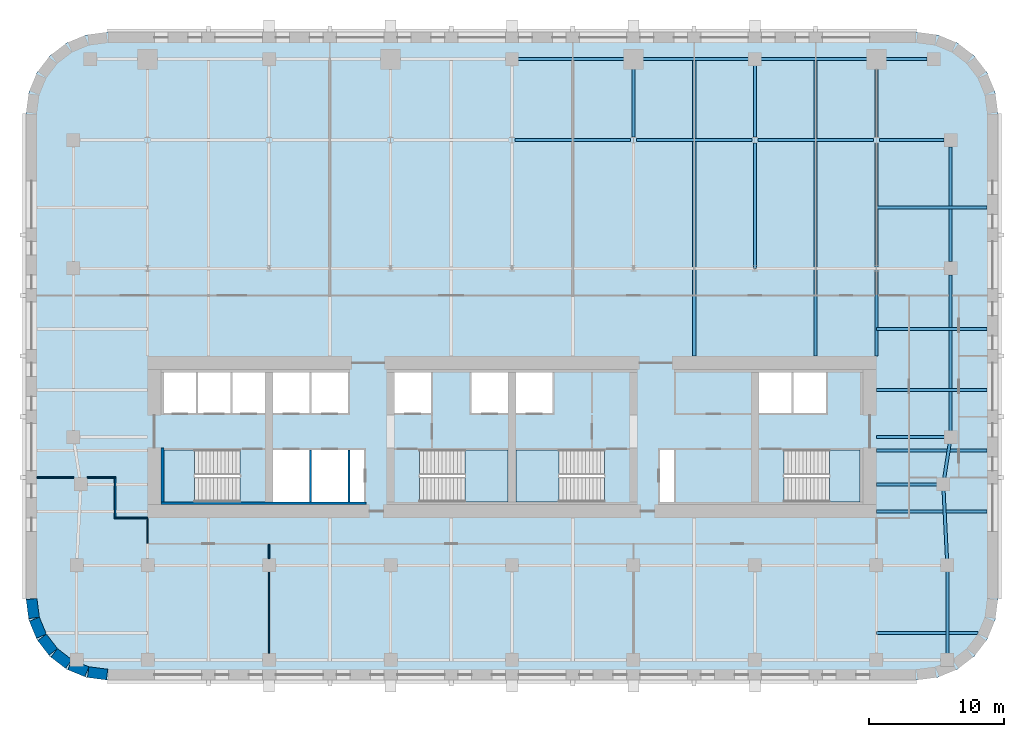
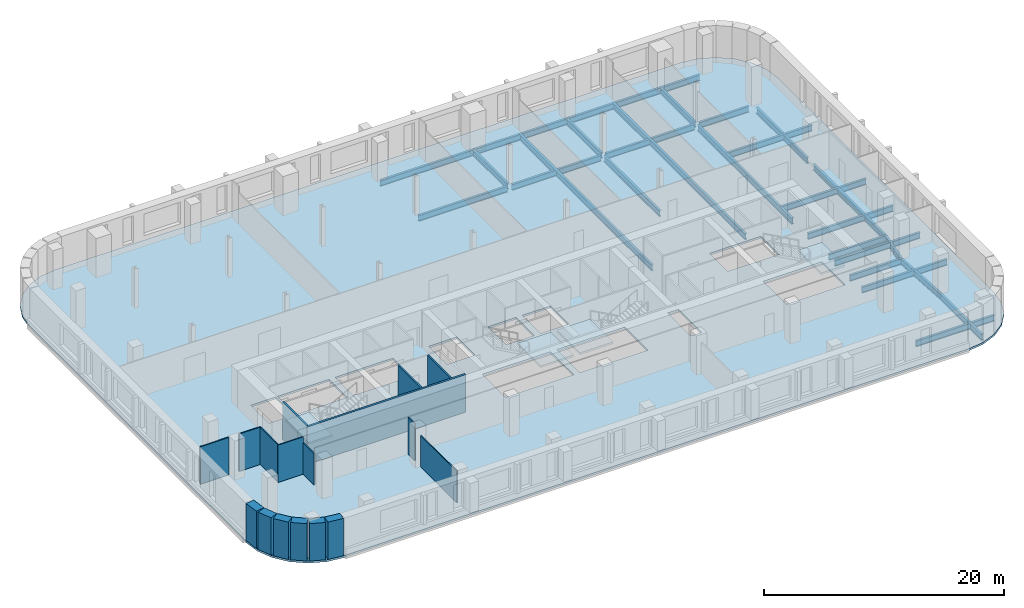
# One storey, part 2 of 9: 26 beams, 17 walls, 5 slabs, 4 elements without a shape of their own.
"""IFC4 building model written with IfcOpenShell, lengths in metres."""

from ifc_helpers import new_model, si_unit, direction, frame, frame_2d, origin, origin_2d, place, context, subcontext, project, spatial, polyline, rectangle, i_section, outline, extrude, material, layer, layer_set, material_profile, profile_set, type_object, element, aggregate, save


model = new_model("IFC4")

# Units and contexts
model_context = context("Model", 3, precision=1e-05, world=origin(), true_north=direction((0.0, 1.0)))
body_context = subcontext(model_context, "Body", "Model", "MODEL_VIEW")
ifc_project = project(units=[si_unit("LENGTHUNIT", "METRE"), si_unit("AREAUNIT", "SQUARE_METRE"), si_unit("VOLUMEUNIT", "CUBIC_METRE"), si_unit("PLANEANGLEUNIT", "RADIAN"), si_unit("MASSUNIT", "GRAM", prefix="KILO")], contexts=[model_context])

# Site, building, storey
site_placement = place(None, origin())
site = spatial("IfcSite", under=ifc_project, at=site_placement, CompositionType="ELEMENT")
building_placement = place(site_placement, origin())
building = spatial("IfcBuilding", under=site, at=building_placement, Name="Zellij Exchange Tower", CompositionType="ELEMENT")
storey_placement = place(building_placement, frame((0.0, 0.0, 148.5)))
storey = spatial("IfcBuildingStorey", under=building, at=storey_placement, Name="L33", CompositionType="ELEMENT", Elevation=148.5)

# Beams
ifc_material_1 = material(Name="Structural steel ASTM A992 Gr 50", Category="steel")
ifc_material_profile_1 = material_profile(ifc_material_1, i_section(OverallWidth=0.227783203125, OverallDepth=0.60205078125, WebThickness=0.010498046875, FlangeThickness=0.014892578125, at=origin_2d()), Name="W24x68")
ifc_profile_set_1 = profile_set([ifc_material_profile_1], Name="Structural steel ASTM A992 Gr 50")
beam_type_1 = type_object("IfcBeamType", Name="STR-BEAM W24x68", PredefinedType="BEAM", material=ifc_profile_set_1)
for number, where, z_axis, x_axis, name in (
    (1, (13.5, -2.0, -0.5009765625), (0.0, 1.0, 0.0), (-1.0, 0.0, 0.0), "B5"),
    (2, (22.5, -2.0, -0.5009765625), (0.0, 1.0, 0.0), (-1.0, 0.0, 0.0), "B5"),
):
    element("IfcBeam", number, at=place(storey_placement, frame(where, z_axis=z_axis, x_axis=x_axis)), inside=storey, type_object=beam_type_1, Name=name, PredefinedType="BEAM", context=body_context, shape_type="SweptSolid", body=[
        extrude(i_section(OverallWidth=0.227783203125, OverallDepth=0.60205078125, WebThickness=0.010498046875, FlangeThickness=0.014892578125, at=origin_2d()), origin(), (0.0, 0.0, 1.0), 22.114501953125),
    ])
beam_1_placement = place(storey_placement, frame((27.0, -22.5, -0.5009765625), z_axis=(1.0, 0.0, 0.0), x_axis=(0.0, 1.0, 0.0)))
element("IfcBeam", 3, at=beam_1_placement, inside=storey, type_object=beam_type_1, Name="B5", PredefinedType="BEAM", context=body_context, shape_type="SweptSolid", body=[
    extrude(i_section(OverallWidth=0.227783203125, OverallDepth=0.60205078125, WebThickness=0.010498046875, FlangeThickness=0.014892578125, at=origin_2d()), origin(), (0.0, 0.0, 1.0), 7.537109375),
])
for number, where, z_axis, x_axis, name in (
    (4, (27.0, -13.5, -0.5009765625), (1.0, 0.0, 0.0), (0.0, 1.0, 0.0), "B5"),
    (5, (27.0, -9.0, -0.5009765625), (1.0, 0.0, 0.0), (0.0, 1.0, 0.0), "B5"),
    (6, (27.0, -4.5, -0.5009765625), (1.0, 0.0, 0.0), (0.0, 1.0, 0.0), "B5"),
    (7, (27.0, 0.0, -0.5009765625), (1.0, 0.0, 0.0), (0.0, 1.0, 0.0), "B5"),
    (8, (27.0, 9.0, -0.5009765625), (1.0, 0.0, 0.0), (0.0, 1.0, 0.0), "B5"),
):
    element("IfcBeam", number, at=place(storey_placement, frame(where, z_axis=z_axis, x_axis=x_axis)), inside=storey, type_object=beam_type_1, Name=name, PredefinedType="BEAM", context=body_context, shape_type="SweptSolid", body=[
        extrude(i_section(OverallWidth=0.227783203125, OverallDepth=0.60205078125, WebThickness=0.010498046875, FlangeThickness=0.014892578125, at=origin_2d()), origin(), (0.0, 0.0, 1.0), 8.199951171875),
    ])
ifc_material_profile_2 = material_profile(ifc_material_1, i_section(OverallWidth=0.22900390625, OverallDepth=0.612060546875, WebThickness=0.011962890625, FlangeThickness=0.01953125, at=origin_2d()), Name="W24x84")
ifc_profile_set_2 = profile_set([ifc_material_profile_2], Name="Structural steel ASTM A992 Gr 50")
beam_type_2 = type_object("IfcBeamType", Name="STR-EDGE GIRDER W24x84", PredefinedType="BEAM", material=ifc_profile_set_2)
beam_2_placement = place(storey_placement, frame((32.25, -24.5, -0.506103515625), z_axis=(0.0, 1.0, 0.0), x_axis=(-1.0, 0.0, 0.0)))
element("IfcBeam", 9, at=beam_2_placement, inside=storey, type_object=beam_type_2, Name="EB6", PredefinedType="BEAM", context=body_context, shape_type="SweptSolid", body=[
    extrude(i_section(OverallWidth=0.22900390625, OverallDepth=0.612060546875, WebThickness=0.011962890625, FlangeThickness=0.01953125, at=origin_2d()), origin(), (0.0, 0.0, 1.0), 7.0),
])
beam_3_placement = place(storey_placement, frame((32.25, -17.5, -0.506103515625), z_axis=(-0.049945724537, 0.998751933465, 0.0), x_axis=(-0.998751933465, -0.049945724537, 0.0)))
element("IfcBeam", 10, at=beam_3_placement, inside=storey, type_object=beam_type_2, Name="EB6", PredefinedType="BEAM", context=body_context, shape_type="SweptSolid", body=[
    extrude(i_section(OverallWidth=0.22900390625, OverallDepth=0.612060546875, WebThickness=0.011962890625, FlangeThickness=0.01953125, at=origin_2d()), origin(), (0.0, 0.0, 1.0), 6.007568359375),
])
beam_4_placement = place(storey_placement, frame((31.949951171875, -11.5, -0.506103515625), z_axis=(0.155251283593, 0.987875011802, 0.0), x_axis=(-0.987875011802, 0.155251283593, 0.0)))
element("IfcBeam", 11, at=beam_4_placement, inside=storey, type_object=beam_type_2, Name="EB6", PredefinedType="BEAM", context=body_context, shape_type="SweptSolid", body=[
    extrude(i_section(OverallWidth=0.22900390625, OverallDepth=0.612060546875, WebThickness=0.011962890625, FlangeThickness=0.01953125, at=origin_2d()), origin(), (0.0, 0.0, 1.0), 3.54296875),
])
beam_5_placement = place(storey_placement, frame((32.5, -8.0, -0.506103515625), z_axis=(0.0, 1.0, 0.0), x_axis=(-1.0, 0.0, 0.0)))
element("IfcBeam", 12, at=beam_5_placement, inside=storey, type_object=beam_type_2, Name="EB6", PredefinedType="BEAM", context=body_context, shape_type="SweptSolid", body=[
    extrude(i_section(OverallWidth=0.22900390625, OverallDepth=0.612060546875, WebThickness=0.011962890625, FlangeThickness=0.01953125, at=origin_2d()), origin(), (0.0, 0.0, 1.0), 12.0),
])
beam_6_placement = place(storey_placement, frame((32.5, 5.0, -0.506103515625), z_axis=(0.0, 1.0, 0.0), x_axis=(-1.0, 0.0, 0.0)))
element("IfcBeam", 13, at=beam_6_placement, inside=storey, type_object=beam_type_2, Name="EB6", PredefinedType="BEAM", context=body_context, shape_type="SweptSolid", body=[
    extrude(i_section(OverallWidth=0.22900390625, OverallDepth=0.612060546875, WebThickness=0.011962890625, FlangeThickness=0.01953125, at=origin_2d()), origin(), (0.0, 0.0, 1.0), 8.5),
])
ifc_material_profile_3 = material_profile(ifc_material_1, i_section(OverallWidth=0.22900390625, OverallDepth=0.612060546875, WebThickness=0.011962890625, FlangeThickness=0.01953125, at=origin_2d()), Name="W24x84")
ifc_profile_set_3 = profile_set([ifc_material_profile_3], Name="Structural steel ASTM A992 Gr 50")
beam_type_3 = type_object("IfcBeamType", Name="STR-GIRDER W24x84", PredefinedType="BEAM", material=ifc_profile_set_3)
beam_7_placement = place(storey_placement, frame((27.0, -11.5, -0.506103515625), z_axis=(1.0, 0.0, 0.0), x_axis=(0.0, 1.0, 0.0)))
element("IfcBeam", 14, at=beam_7_placement, inside=storey, type_object=beam_type_3, Name="G4", PredefinedType="BEAM", context=body_context, shape_type="SweptSolid", body=[
    extrude(i_section(OverallWidth=0.22900390625, OverallDepth=0.612060546875, WebThickness=0.011962890625, FlangeThickness=0.01953125, at=origin_2d()), origin(), (0.0, 0.0, 1.0), 4.949951171875),
])
beam_8_placement = place(storey_placement, frame((27.0, -8.0, -0.506103515625), z_axis=(1.0, 0.0, 0.0), x_axis=(0.0, 1.0, 0.0)))
element("IfcBeam", 15, at=beam_8_placement, inside=storey, type_object=beam_type_3, Name="G4", PredefinedType="BEAM", context=body_context, shape_type="SweptSolid", body=[
    extrude(i_section(OverallWidth=0.22900390625, OverallDepth=0.612060546875, WebThickness=0.011962890625, FlangeThickness=0.01953125, at=origin_2d()), origin(), (0.0, 0.0, 1.0), 5.5),
])
beam_9_placement = place(storey_placement, frame((0.20947265625, 14.0, -0.506103515625), z_axis=(1.0, 0.0, 0.0), x_axis=(0.0, 1.0, 0.0)))
element("IfcBeam", 16, at=beam_9_placement, inside=storey, type_object=beam_type_3, Name="G4", PredefinedType="BEAM", context=body_context, shape_type="SweptSolid", body=[
    extrude(i_section(OverallWidth=0.22900390625, OverallDepth=0.612060546875, WebThickness=0.011962890625, FlangeThickness=0.01953125, at=origin_2d()), origin(), (0.0, 0.0, 1.0), 8.580810546875),
])
for number, where, z_axis, x_axis, name in (
    (17, (9.209716796875, 14.0, -0.506103515625), (1.0, 0.0, 0.0), (0.0, 1.0, 0.0), "G4"),
    (18, (18.209716796875, 14.0, -0.506103515625), (1.0, 0.0, 0.0), (0.0, 1.0, 0.0), "G4"),
):
    element("IfcBeam", number, at=place(storey_placement, frame(where, z_axis=z_axis, x_axis=x_axis)), inside=storey, type_object=beam_type_3, Name=name, PredefinedType="BEAM", context=body_context, shape_type="SweptSolid", body=[
        extrude(i_section(OverallWidth=0.22900390625, OverallDepth=0.612060546875, WebThickness=0.011962890625, FlangeThickness=0.01953125, at=origin_2d()), origin(), (0.0, 0.0, 1.0), 8.58056640625),
    ])
beam_10_placement = place(storey_placement, frame((27.209716796875, 14.0, -0.506103515625), z_axis=(1.0, 0.0, 0.0), x_axis=(0.0, 1.0, 0.0)))
element("IfcBeam", 19, at=beam_10_placement, inside=storey, type_object=beam_type_3, Name="G4", PredefinedType="BEAM", context=body_context, shape_type="SweptSolid", body=[
    extrude(i_section(OverallWidth=0.22900390625, OverallDepth=0.612060546875, WebThickness=0.011962890625, FlangeThickness=0.01953125, at=origin_2d()), origin(), (0.0, 0.0, 1.0), 4.790283203125),
])
beam_11_placement = place(storey_placement, frame((0.0, 20.0, -0.506103515625), z_axis=(1.0, 0.0, 0.0), x_axis=(0.0, 1.0, 0.0)))
element("IfcBeam", 20, at=beam_11_placement, inside=storey, type_object=beam_type_3, Name="G4", PredefinedType="BEAM", context=body_context, shape_type="SweptSolid", body=[
    extrude(i_section(OverallWidth=0.22900390625, OverallDepth=0.612060546875, WebThickness=0.011962890625, FlangeThickness=0.01953125, at=origin_2d()), origin(), (0.0, 0.0, 1.0), 18.0),
])
beam_12_placement = place(storey_placement, frame((18.0, 20.0, -0.506103515625), z_axis=(1.0, 0.0, 0.0), x_axis=(0.0, 1.0, 0.0)))
element("IfcBeam", 21, at=beam_12_placement, inside=storey, type_object=beam_type_3, Name="G4", PredefinedType="BEAM", context=body_context, shape_type="SweptSolid", body=[
    extrude(i_section(OverallWidth=0.22900390625, OverallDepth=0.612060546875, WebThickness=0.011962890625, FlangeThickness=0.01953125, at=origin_2d()), origin(), (0.0, 0.0, 1.0), 12.75),
])
beam_13_placement = place(storey_placement, frame((9.0, 14.227294921875, -0.506103515625), z_axis=(0.0, 1.0, 0.0), x_axis=(-1.0, 0.0, 0.0)))
element("IfcBeam", 22, at=beam_13_placement, inside=storey, type_object=beam_type_3, Name="G4", PredefinedType="BEAM", context=body_context, shape_type="SweptSolid", body=[
    extrude(i_section(OverallWidth=0.22900390625, OverallDepth=0.612060546875, WebThickness=0.011962890625, FlangeThickness=0.01953125, at=origin_2d()), origin(), (0.0, 0.0, 1.0), 5.772705078125),
])
beam_14_placement = place(storey_placement, frame((18.0, 4.5, -0.506103515625), z_axis=(0.0, 1.0, 0.0), x_axis=(-1.0, 0.0, 0.0)))
element("IfcBeam", 23, at=beam_14_placement, inside=storey, type_object=beam_type_3, Name="G4", PredefinedType="BEAM", context=body_context, shape_type="SweptSolid", body=[
    extrude(i_section(OverallWidth=0.22900390625, OverallDepth=0.612060546875, WebThickness=0.011962890625, FlangeThickness=0.01953125, at=origin_2d()), origin(), (0.0, 0.0, 1.0), 9.272705078125),
])
beam_15_placement = place(storey_placement, frame((18.0, 14.227294921875, -0.506103515625), z_axis=(0.0, 1.0, 0.0), x_axis=(-1.0, 0.0, 0.0)))
element("IfcBeam", 24, at=beam_15_placement, inside=storey, type_object=beam_type_3, Name="G4", PredefinedType="BEAM", context=body_context, shape_type="SweptSolid", body=[
    extrude(i_section(OverallWidth=0.22900390625, OverallDepth=0.612060546875, WebThickness=0.011962890625, FlangeThickness=0.01953125, at=origin_2d()), origin(), (0.0, 0.0, 1.0), 5.772705078125),
])
beam_16_placement = place(storey_placement, frame((27.0, -2.0, -0.506103515625), z_axis=(0.0, 1.0, 0.0), x_axis=(-1.0, 0.0, 0.0)))
element("IfcBeam", 25, at=beam_16_placement, inside=storey, type_object=beam_type_3, Name="G4", PredefinedType="BEAM", context=body_context, shape_type="SweptSolid", body=[
    extrude(i_section(OverallWidth=0.22900390625, OverallDepth=0.612060546875, WebThickness=0.011962890625, FlangeThickness=0.01953125, at=origin_2d()), origin(), (0.0, 0.0, 1.0), 15.772705078125),
])
beam_17_placement = place(storey_placement, frame((27.0, 14.227294921875, -0.506103515625), z_axis=(0.0, 1.0, 0.0), x_axis=(-1.0, 0.0, 0.0)))
element("IfcBeam", 26, at=beam_17_placement, inside=storey, type_object=beam_type_3, Name="G4", PredefinedType="BEAM", context=body_context, shape_type="SweptSolid", body=[
    extrude(i_section(OverallWidth=0.22900390625, OverallDepth=0.612060546875, WebThickness=0.011962890625, FlangeThickness=0.01953125, at=origin_2d()), origin(), (0.0, 0.0, 1.0), 5.772705078125),
])

# Stair, slab
ifc_material_2 = material(Name="Concrete C40/50", Category="concrete")
stair_type = type_object("IfcStairType", Name="CORE-ST exit stair 1850 wide", PredefinedType="HALF_TURN_STAIR", material=ifc_material_2)
stair_1_placement = place(storey_placement, origin())
stair_1 = element("IfcStair", 27, at=stair_1_placement, inside=storey, type_object=stair_type, Name="L33 exit stair ST1", PredefinedType="HALF_TURN_STAIR")
ifc_layer_1 = layer(ifc_material_2, 0.199951171875)
ifc_layer_set_1 = layer_set([ifc_layer_1], Name="Concrete C40/50")
slab_type_1 = type_object("IfcSlabType", Name="CORE-SL stair landing 200", PredefinedType="LANDING", material=ifc_layer_set_1)
slab_1_placement = place(storey_placement, frame((0.0, 0.0, 1.800048828125)))
slab_1 = element("IfcSlab", 28, at=slab_1_placement, type_object=slab_type_1, Name="ST1 landing 1", PredefinedType="LANDING", context=body_context, shape_type="SweptSolid", body=[
    extrude(outline(polyline([(-23.510009765625, -8.949951171875), (-25.800048828125, -8.949951171875), (-25.800048828125, -12.800048828125), (-23.510009765625, -12.800048828125), (-23.510009765625, -8.949951171875)])), origin(), (0.0, 0.0, 1.0), 0.199951171875),
])
aggregate(stair_1, [slab_1])

stair_2_placement = place(storey_placement, origin())
stair_2 = element("IfcStair", 29, at=stair_2_placement, inside=storey, type_object=stair_type, Name="L33 exit stair ST2", PredefinedType="HALF_TURN_STAIR")
slab_2_placement = place(storey_placement, frame((0.0, 0.0, 1.800048828125)))
slab_2 = element("IfcSlab", 30, at=slab_2_placement, type_object=slab_type_1, Name="ST2 landing 1", PredefinedType="LANDING", context=body_context, shape_type="SweptSolid", body=[
    extrude(outline(polyline([(-3.489990234375, -12.800048828125), (-0.300048828125, -12.800048828125), (-0.300048828125, -8.949951171875), (-3.489990234375, -8.949951171875), (-3.489990234375, -12.800048828125)])), origin(), (0.0, 0.0, 1.0), 0.199951171875),
])
aggregate(stair_2, [slab_2])

stair_3_placement = place(storey_placement, origin())
stair_3 = element("IfcStair", 31, at=stair_3_placement, inside=storey, type_object=stair_type, Name="L33 exit stair ST3", PredefinedType="HALF_TURN_STAIR")
slab_3_placement = place(storey_placement, frame((0.0, 0.0, 1.800048828125)))
slab_3 = element("IfcSlab", 32, at=slab_3_placement, type_object=slab_type_1, Name="ST3 landing 1", PredefinedType="LANDING", context=body_context, shape_type="SweptSolid", body=[
    extrude(outline(polyline([(3.489990234375, -8.949951171875), (0.300048828125, -8.949951171875), (0.300048828125, -12.800048828125), (3.489990234375, -12.800048828125), (3.489990234375, -8.949951171875)])), origin(), (0.0, 0.0, 1.0), 0.199951171875),
])
aggregate(stair_3, [slab_3])

stair_4_placement = place(storey_placement, origin())
stair_4 = element("IfcStair", 33, at=stair_4_placement, inside=storey, type_object=stair_type, Name="L33 exit stair ST4", PredefinedType="HALF_TURN_STAIR")
slab_4_placement = place(storey_placement, frame((0.0, 0.0, 1.800048828125)))
slab_4 = element("IfcSlab", 34, at=slab_4_placement, type_object=slab_type_1, Name="ST4 landing 1", PredefinedType="LANDING", context=body_context, shape_type="SweptSolid", body=[
    extrude(outline(polyline([(23.510009765625, -12.800048828125), (25.800048828125, -12.800048828125), (25.800048828125, -8.949951171875), (23.510009765625, -8.949951171875), (23.510009765625, -12.800048828125)])), origin(), (0.0, 0.0, 1.0), 0.199951171875),
])
aggregate(stair_4, [slab_4])

# Slab
ifc_layer_2 = layer(ifc_material_2, 0.199951171875)
ifc_layer_set_2 = layer_set([ifc_layer_2], Name="Concrete C40/50")
slab_type_2 = type_object("IfcSlabType", Name="STR-FLOOR SLAB 200 C40/50", PredefinedType="FLOOR", material=ifc_layer_set_2)
slab_5_placement = place(storey_placement, frame((0.0, 0.0, -0.2001953125)))
element("IfcSlab", 35, at=slab_5_placement, inside=storey, type_object=slab_type_2, Name="Floor L33", PredefinedType="FLOOR", context=body_context, shape_type="SweptSolid", body=[
    extrude(outline(polyline([(-30.0, -26.0), (-31.552978515625, -25.795654296875), (-33.0, -25.1962890625), (-34.24267578125, -24.24267578125), (-35.1962890625, -23.0), (-35.795654296875, -21.552978515625), (-36.0, -20.0), (-36.0, 16.0), (-35.795654296875, 17.552978515625), (-35.1962890625, 19.0), (-34.24267578125, 20.24267578125), (-33.0, 21.1962890625), (-31.552978515625, 21.795654296875), (-30.0, 22.0), (30.0, 22.0), (31.552978515625, 21.795654296875), (33.0, 21.1962890625), (34.24267578125, 20.24267578125), (35.1962890625, 19.0), (35.795654296875, 17.552978515625), (36.0, 16.0), (36.0, -20.0), (35.795654296875, -21.552978515625), (35.1962890625, -23.0), (34.24267578125, -24.24267578125), (33.0, -25.1962890625), (31.552978515625, -25.795654296875), (30.0, -26.0), (-30.0, -26.0)]), holes=[polyline([(-25.800048828125, -8.949951171875), (-25.800048828125, -12.800048828125), (-20.153076171875, -12.800048828125), (-20.153076171875, -8.949951171875), (-25.800048828125, -8.949951171875)]), polyline([(-12.14990234375, -8.949951171875), (-17.699951171875, -8.949951171875), (-17.699951171875, -12.800048828125), (-12.14990234375, -12.800048828125), (-12.14990234375, -8.949951171875)]), polyline([(-10.949951171875, -8.949951171875), (-12.0, -8.949951171875), (-12.0, -12.800048828125), (-10.949951171875, -12.800048828125), (-10.949951171875, -8.949951171875)]), polyline([(-23.39990234375, -3.199951171875), (-25.800048828125, -3.199951171875), (-25.800048828125, -6.22509765625), (-23.39990234375, -6.22509765625), (-23.39990234375, -3.199951171875)]), polyline([(-18.300048828125, -3.199951171875), (-23.25, -3.199951171875), (-23.25, -6.22509765625), (-18.300048828125, -6.22509765625), (-18.300048828125, -3.199951171875)]), polyline([(-12.14990234375, -3.199951171875), (-17.699951171875, -3.199951171875), (-17.699951171875, -6.22509765625), (-12.14990234375, -6.22509765625), (-12.14990234375, -3.199951171875)]), polyline([(-6.0, -3.199951171875), (-8.699951171875, -3.199951171875), (-8.699951171875, -6.22509765625), (-6.0, -6.22509765625), (-6.0, -3.199951171875)]), polyline([(-6.846923828125, -8.949951171875), (-6.846923828125, -12.800048828125), (-0.300048828125, -12.800048828125), (-0.300048828125, -8.949951171875), (-6.846923828125, -8.949951171875)]), polyline([(6.846923828125, -8.949951171875), (0.300048828125, -8.949951171875), (0.300048828125, -12.800048828125), (6.846923828125, -12.800048828125), (6.846923828125, -8.949951171875)]), polyline([(12.0, -8.949951171875), (10.949951171875, -8.949951171875), (10.949951171875, -12.800048828125), (12.0, -12.800048828125), (12.0, -8.949951171875)]), polyline([(25.800048828125, -8.949951171875), (20.153076171875, -8.949951171875), (20.153076171875, -12.800048828125), (25.800048828125, -12.800048828125), (25.800048828125, -8.949951171875)]), polyline([(-0.300048828125, -3.199951171875), (-3.0, -3.199951171875), (-3.0, -6.22509765625), (-0.300048828125, -6.22509765625), (-0.300048828125, -3.199951171875)]), polyline([(3.0, -3.199951171875), (0.300048828125, -3.199951171875), (0.300048828125, -6.22509765625), (3.0, -6.22509765625), (3.0, -3.199951171875)]), polyline([(23.25, -3.199951171875), (18.300048828125, -3.199951171875), (18.300048828125, -6.22509765625), (23.25, -6.22509765625), (23.25, -3.199951171875)])]), origin(), (0.0, 0.0, 1.0), 0.2001953125),
])

# Walls
ifc_material_3 = material(Name="Concrete C30/37", Category="concrete")
ifc_layer_3 = layer(ifc_material_3, 0.199951171875)
ifc_layer_set_3 = layer_set([ifc_layer_3], Name="Concrete C30/37")
wall_type_1 = type_object("IfcWallType", Name="CORE-LW 200 C30/37", PredefinedType="SHEAR", material=ifc_layer_set_3)
wall_1_placement = place(storey_placement, frame((-26.0, -12.89990234375, 0.0), z_axis=(0.0, 0.0, 1.0), x_axis=(1.0, 0.0, 0.0)))
element("IfcWall", 36, at=wall_1_placement, inside=storey, type_object=wall_type_1, Name="Core wall lining rear.0 L33", PredefinedType="SHEAR", context=body_context, shape_type="SweptSolid", body=[
    extrude(rectangle(XDim=15.199951171875, YDim=0.199951171875, at=frame_2d((7.60009765625, 0.0))), origin(), (0.0, 0.0, 1.0), 3.800048828125),
])
wall_2_placement = place(storey_placement, frame((-25.89990234375, -12.800048828125, 0.0), z_axis=(0.0, 0.0, 1.0), x_axis=(0.0, 1.0, 0.0)))
element("IfcWall", 37, at=wall_2_placement, inside=storey, type_object=wall_type_1, Name="Core wall lining end w.0 L33", PredefinedType="SHEAR", context=body_context, shape_type="SweptSolid", body=[
    extrude(rectangle(XDim=4.0, YDim=0.199951171875, at=frame_2d((2.0, 0.0))), origin(), (0.0, 0.0, 1.0), 3.800048828125),
])
ifc_material_4 = material(Name="Gypsum shaft wall system")
ifc_layer_4 = layer(ifc_material_4, 0.14990234375)
ifc_layer_set_4 = layer_set([ifc_layer_4], Name="Gypsum shaft wall system")
wall_type_2 = type_object("IfcWallType", Name="CORE-PW 150 Lift shaft wall", PredefinedType="PARTITIONING", material=ifc_layer_set_4)
for number, where, z_axis, x_axis, name in (
    (38, (-12.074951171875, -12.800048828125, 0.0), (0.0, 0.0, 1.0), (0.0, 1.0, 0.0), "Lift shaft wall L33"),
    (39, (-14.925048828125, -12.800048828125, 0.0), (0.0, 0.0, 1.0), (0.0, 1.0, 0.0), "Lift shaft wall L33"),
):
    element("IfcWall", number, at=place(storey_placement, frame(where, z_axis=z_axis, x_axis=x_axis)), inside=storey, type_object=wall_type_2, Name=name, PredefinedType="PARTITIONING", context=body_context, shape_type="SweptSolid", body=[
        extrude(rectangle(XDim=3.85009765625, YDim=0.14990234375, at=frame_2d((1.925048828125, 0.0))), origin(), (0.0, 0.0, 1.0), 3.800048828125),
    ])
ifc_material_5 = material(Name="Precast concrete C40/50", Category="concrete")
ifc_layer_5 = layer(ifc_material_5, 0.800048828125)
ifc_layer_set_5 = layer_set([ifc_layer_5], Name="Precast concrete C40/50")
wall_type_3 = type_object("IfcWallType", Name="ENV-EW1 Precast stone-piered wall 800", PredefinedType="SOLIDWALL", material=ifc_layer_set_5)
wall_3_placement = place(storey_placement, frame((-35.5966796875, -19.999755859375, 0.0), z_axis=(0.0, 0.0, 1.0), x_axis=(0.130517283865, -0.99144603414, 0.0)))
element("IfcWall", 40, at=wall_3_placement, inside=storey, type_object=wall_type_3, Name="fac.L33.22", PredefinedType="SOLIDWALL", context=body_context, shape_type="SweptSolid", body=[
    extrude(rectangle(XDim=1.408447265625, YDim=0.800048828125, at=frame_2d((0.7041015625, 0.0))), origin(), (0.0, 0.0, 1.0), 3.800048828125),
])
wall_4_placement = place(storey_placement, frame((-35.3857421875, -21.497314453125, 0.0), z_axis=(0.0, 0.0, 1.0), x_axis=(0.38276009378, -0.923847774587, 0.0)))
element("IfcWall", 41, at=wall_4_placement, inside=storey, type_object=wall_type_3, Name="fac.L33.23", PredefinedType="SOLIDWALL", context=body_context, shape_type="SweptSolid", body=[
    extrude(rectangle(XDim=1.35546875, YDim=0.800048828125, at=frame_2d((0.677734375, 0.0))), origin(), (0.0, 0.0, 1.0), 3.800048828125),
])
for number, where, z_axis, x_axis, name in (
    (42, (-34.814697265625, -22.840087890625, 0.0), (0.0, 0.0, 1.0), (0.608866226366, -0.793272915452, 0.0), "fac.L33.24"),
    (43, (-33.91552734375, -23.9892578125, 0.0), (0.0, 0.0, 1.0), (0.793272915452, -0.608866226366, 0.0), "fac.L33.25"),
):
    element("IfcWall", number, at=place(storey_placement, frame(where, z_axis=z_axis, x_axis=x_axis)), inside=storey, type_object=wall_type_3, Name=name, PredefinedType="SOLIDWALL", context=body_context, shape_type="SweptSolid", body=[
        extrude(rectangle(XDim=1.355712890625, YDim=0.800048828125, at=frame_2d((0.677734375, 0.0))), origin(), (0.0, 0.0, 1.0), 3.800048828125),
    ])
wall_5_placement = place(storey_placement, frame((-32.74951171875, -24.866943359375, 0.0), z_axis=(0.0, 0.0, 1.0), x_axis=(0.923847774587, -0.38276009378, 0.0)))
element("IfcWall", 44, at=wall_5_placement, inside=storey, type_object=wall_type_3, Name="fac.L33.26", PredefinedType="SOLIDWALL", context=body_context, shape_type="SweptSolid", body=[
    extrude(rectangle(XDim=1.35546875, YDim=0.800048828125, at=frame_2d((0.677734375, 0.0))), origin(), (0.0, 0.0, 1.0), 3.800048828125),
])
wall_6_placement = place(storey_placement, frame((-31.396240234375, -25.412841796875, 0.0), z_axis=(0.0, 0.0, 1.0), x_axis=(0.99144603414, -0.130517283865, 0.0)))
element("IfcWall", 45, at=wall_6_placement, inside=storey, type_object=wall_type_3, Name="fac.L33.27", PredefinedType="SOLIDWALL", context=body_context, shape_type="SweptSolid", body=[
    extrude(rectangle(XDim=1.408447265625, YDim=0.800048828125, at=frame_2d((0.7041015625, 0.0))), origin(), (0.0, 0.0, 1.0), 3.800048828125),
])
ifc_material_6 = material(Name="Gypsum board partition on steel studs", Category="steel")
ifc_layer_6 = layer(ifc_material_6, 0.10009765625)
ifc_layer_set_6 = layer_set([ifc_layer_6], Name="Gypsum board partition on steel studs")
wall_type_4 = type_object("IfcWallType", Name="FIT-PARTITION-100", PredefinedType="PARTITIONING", material=ifc_layer_set_6)
wall_7_placement = place(storey_placement, frame((-18.0, -24.0, 0.0), z_axis=(0.0, 0.0, 1.0), x_axis=(0.0, 1.0, 0.0)))
element("IfcWall", 46, at=wall_7_placement, inside=storey, type_object=wall_type_4, Name="FIT-PARTITION-100 001", PredefinedType="PARTITIONING", context=body_context, shape_type="SweptSolid", body=[
    extrude(rectangle(XDim=6.0, YDim=0.10009765625, at=frame_2d((3.0, 0.0))), origin(), (0.0, 0.0, 1.0), 3.18798828125),
])
wall_8_placement = place(storey_placement, frame((-18.0, -17.0, 0.0), z_axis=(0.0, 0.0, 1.0), x_axis=(0.0, 1.0, 0.0)))
element("IfcWall", 47, at=wall_8_placement, inside=storey, type_object=wall_type_4, Name="FIT-PARTITION-100 002", PredefinedType="PARTITIONING", context=body_context, shape_type="SweptSolid", body=[
    extrude(rectangle(XDim=1.050048828125, YDim=0.10009765625, at=frame_2d((0.52490234375, 0.0))), origin(), (0.0, 0.0, 1.0), 3.800048828125),
])
wall_9_placement = place(storey_placement, frame((-27.0, -15.85009765625, 0.0), z_axis=(0.0, 0.0, 1.0), x_axis=(0.0, 1.0, 0.0)))
element("IfcWall", 48, at=wall_9_placement, inside=storey, type_object=wall_type_4, Name="FIT-PARTITION-100 006", PredefinedType="PARTITIONING", context=body_context, shape_type="SweptSolid", body=[
    extrude(rectangle(XDim=1.800048828125, YDim=0.10009765625, at=frame_2d((0.89990234375, 0.0))), origin(), (0.0, 0.0, 1.0), 3.18798828125),
])
wall_10_placement = place(storey_placement, frame((-29.449951171875, -14.0, 0.0), z_axis=(0.0, 0.0, 1.0), x_axis=(1.0, 0.0, 0.0)))
element("IfcWall", 49, at=wall_10_placement, inside=storey, type_object=wall_type_4, Name="FIT-PARTITION-100 008", PredefinedType="PARTITIONING", context=body_context, shape_type="SweptSolid", body=[
    extrude(rectangle(XDim=2.449951171875, YDim=0.10009765625, at=frame_2d((1.22509765625, 0.0))), origin(), (0.0, 0.0, 1.0), 3.800048828125),
])
wall_11_placement = place(storey_placement, frame((-29.39990234375, -13.949951171875, 0.0), z_axis=(0.0, 0.0, 1.0), x_axis=(0.0, 1.0, 0.0)))
element("IfcWall", 50, at=wall_11_placement, inside=storey, type_object=wall_type_4, Name="FIT-PARTITION-100 009", PredefinedType="PARTITIONING", context=body_context, shape_type="SweptSolid", body=[
    extrude(rectangle(XDim=2.909912109375, YDim=0.10009765625, at=frame_2d((1.455078125, 0.0))), origin(), (0.0, 0.0, 1.0), 3.800048828125),
])
wall_12_placement = place(storey_placement, frame((-35.199951171875, -10.989990234375, 0.0), z_axis=(0.0, 0.0, 1.0), x_axis=(1.0, 0.0, 0.0)))
element("IfcWall", 51, at=wall_12_placement, inside=storey, type_object=wall_type_4, Name="FIT-PARTITION-100 012", PredefinedType="PARTITIONING", context=body_context, shape_type="SweptSolid", body=[
    extrude(rectangle(XDim=2.75, YDim=0.10009765625, at=frame_2d((1.375, 0.0))), origin(), (0.0, 0.0, 1.0), 3.800048828125),
])
wall_13_placement = place(storey_placement, frame((-31.449951171875, -10.989990234375, 0.0), z_axis=(0.0, 0.0, 1.0), x_axis=(1.0, 0.0, 0.0)))
element("IfcWall", 52, at=wall_13_placement, inside=storey, type_object=wall_type_4, Name="FIT-PARTITION-100 013", PredefinedType="PARTITIONING", context=body_context, shape_type="SweptSolid", body=[
    extrude(rectangle(XDim=2.099853515625, YDim=0.10009765625, at=frame_2d((1.0498046875, 0.0))), origin(), (0.0, 0.0, 1.0), 3.800048828125),
])

save(model, "model.ifc")
